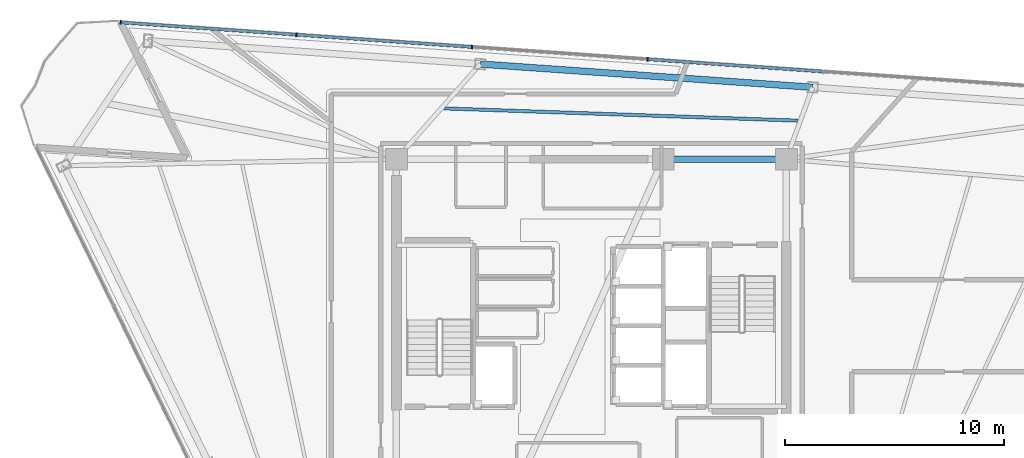
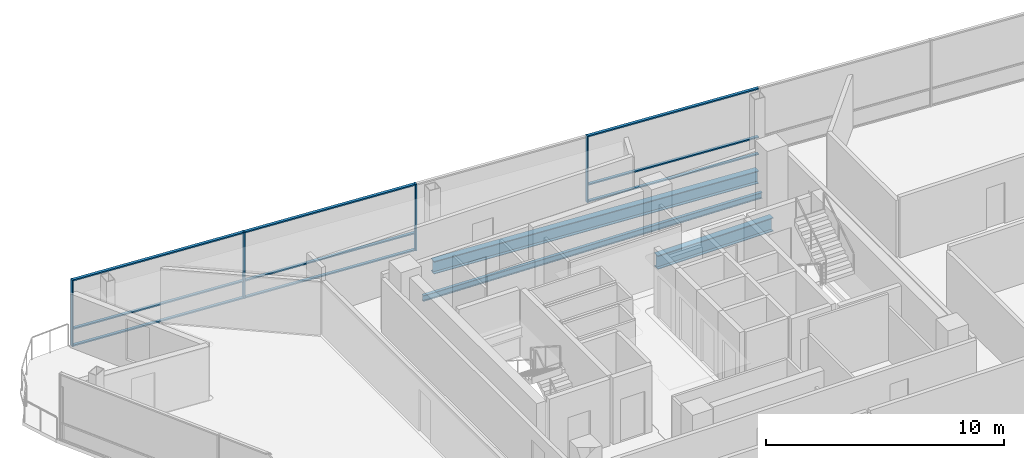
# One storey, part 6 of 14: 13 members, 3 beams, 1 element without a shape of its own.
"""IFC4 building model written with IfcOpenShell, lengths in metres."""

from ifc_helpers import new_model, si_unit, direction, frame, origin, origin_2d, place, context, subcontext, project, spatial, rectangle, i_section, extrude, material, layer, layer_set, material_profile, profile_set, type_object, element, aggregate, save


model = new_model("IFC4")

# Units and contexts
model_context = context("Model", 3, precision=1e-05, world=origin(), true_north=direction((0.0, 1.0)))
body_context = subcontext(model_context, "Body", "Model", "MODEL_VIEW")
ifc_project = project(units=[si_unit("LENGTHUNIT", "METRE"), si_unit("AREAUNIT", "SQUARE_METRE"), si_unit("VOLUMEUNIT", "CUBIC_METRE"), si_unit("PLANEANGLEUNIT", "RADIAN"), si_unit("MASSUNIT", "GRAM", prefix="KILO")], contexts=[model_context])

# Site, building, storey
site_placement = place(None, origin())
site = spatial("IfcSite", under=ifc_project, at=site_placement, CompositionType="ELEMENT")
building_placement = place(site_placement, origin())
building = spatial("IfcBuilding", under=site, at=building_placement, Name="Tharavind Bronze Gate", CompositionType="ELEMENT")
storey_placement = place(building_placement, frame((0.0, 0.0, 230.64990234375)))
storey = spatial("IfcBuildingStorey", under=building, at=storey_placement, Name="L59", CompositionType="ELEMENT", Elevation=230.64990234375)

# Curtain wall, members
ifc_material_1 = material(Name="Anodised Bronze Aluminium", Category="aluminium")
ifc_layer = layer(ifc_material_1, 0.219970703125)
ifc_layer_set = layer_set([ifc_layer], Name="Anodised Bronze Aluminium")
curtain_wall_type = type_object("IfcCurtainWallType", Name="UNITISED CURTAIN WALL UPPER OFFICE", PredefinedType="USERDEFINED", material=ifc_layer_set)
curtain_wall_placement = place(storey_placement, origin())
curtain_wall = element("IfcCurtainWall", 1, at=curtain_wall_placement, inside=storey, type_object=curtain_wall_type, Name="L59 unitised curtain wall upper office CW-L59-S3", ObjectType="UNITISED CURTAIN WALL", PredefinedType="USERDEFINED")
member_type_1 = type_object("IfcMemberType", Name="CURTAIN WALL BRONZE MULLION 65X180", PredefinedType="MULLION", material=ifc_material_1)
member_1_placement = place(storey_placement, frame((2.5654296875, 12.162353515625, 0.000244140625), z_axis=(0.0, 0.0, 1.0), x_axis=(-0.99756392851, 0.069758214822, 0.0)))
member_1 = element("IfcMember", 2, at=member_1_placement, type_object=member_type_1, Name="CW-L59-S3 mullion 4", PredefinedType="MULLION", context=body_context, shape_type="SweptSolid", body=[
    extrude(rectangle(XDim=0.06494140625, YDim=0.179931640625, at=origin_2d()), origin(), (0.0, 0.0, 1.0), 3.419921875),
])
member_2_placement = place(storey_placement, frame((-5.452880859375, 12.72314453125, 0.000244140625), z_axis=(0.0, 0.0, 1.0), x_axis=(-0.99756392851, 0.069758214822, 0.0)))
member_2 = element("IfcMember", 3, at=member_2_placement, type_object=member_type_1, Name="CW-L59-S3 mullion 5", PredefinedType="MULLION", context=body_context, shape_type="SweptSolid", body=[
    extrude(rectangle(XDim=0.06494140625, YDim=0.179931640625, at=origin_2d()), origin(), (0.0, 0.0, 1.0), 3.419921875),
])
member_3_placement = place(storey_placement, frame((-13.471435546875, 13.28369140625, 0.000244140625), z_axis=(0.0, 0.0, 1.0), x_axis=(-0.99756392851, 0.069758214822, 0.0)))
member_3 = element("IfcMember", 4, at=member_3_placement, type_object=member_type_1, Name="CW-L59-S3 mullion 6", PredefinedType="MULLION", context=body_context, shape_type="SweptSolid", body=[
    extrude(rectangle(XDim=0.06494140625, YDim=0.179931640625, at=origin_2d()), origin(), (0.0, 0.0, 1.0), 3.419921875),
])
member_4_placement = place(storey_placement, frame((-21.489990234375, 13.844482421875, 0.000244140625), z_axis=(0.0, 0.0, 1.0), x_axis=(-0.99756392851, 0.069758214822, 0.0)))
member_4 = element("IfcMember", 5, at=member_4_placement, type_object=member_type_1, Name="CW-L59-S3 mullion 7", PredefinedType="MULLION", context=body_context, shape_type="SweptSolid", body=[
    extrude(rectangle(XDim=0.06494140625, YDim=0.179931640625, at=origin_2d()), origin(), (0.0, 0.0, 1.0), 3.419921875),
])
member_type_2 = type_object("IfcMemberType", Name="CURTAIN WALL BRONZE TRANSOM 65X140", PredefinedType="USERDEFINED", material=ifc_material_1)
member_5_placement = place(storey_placement, frame((6.57470703125, 11.882080078125, 0.000244140625), z_axis=(0.0, 0.0, 1.0), x_axis=(-0.99756392851, 0.069758214822, 0.0)))
member_5 = element("IfcMember", 6, at=member_5_placement, type_object=member_type_2, Name="CW-L59-S3 transom TB3", ObjectType="TRANSOM", PredefinedType="USERDEFINED", context=body_context, shape_type="SweptSolid", body=[
    extrude(rectangle(XDim=7.985107421875, YDim=0.139892578125, at=origin_2d()), origin(), (0.0, 0.0, 1.0), 0.06494140625),
])
member_6_placement = place(storey_placement, frame((6.57470703125, 11.882080078125, 0.86767578125), z_axis=(0.0, 0.0, 1.0), x_axis=(-0.99756392851, 0.069758214822, 0.0)))
member_6 = element("IfcMember", 7, at=member_6_placement, type_object=member_type_2, Name="CW-L59-S3 transom TS3", ObjectType="TRANSOM", PredefinedType="USERDEFINED", context=body_context, shape_type="SweptSolid", body=[
    extrude(rectangle(XDim=7.985107421875, YDim=0.139892578125, at=origin_2d()), origin(), (0.0, 0.0, 1.0), 0.06494140625),
])
member_7_placement = place(storey_placement, frame((6.57470703125, 11.882080078125, 3.355224609375), z_axis=(0.0, 0.0, 1.0), x_axis=(-0.99756392851, 0.069758214822, 0.0)))
member_7 = element("IfcMember", 8, at=member_7_placement, type_object=member_type_2, Name="CW-L59-S3 transom TT3", ObjectType="TRANSOM", PredefinedType="USERDEFINED", context=body_context, shape_type="SweptSolid", body=[
    extrude(rectangle(XDim=7.985107421875, YDim=0.139892578125, at=origin_2d()), origin(), (0.0, 0.0, 1.0), 0.06494140625),
])
member_8_placement = place(storey_placement, frame((-9.462158203125, 13.00341796875, 0.000244140625), z_axis=(0.0, 0.0, 1.0), x_axis=(-0.99756392851, 0.069758214822, 0.0)))
member_8 = element("IfcMember", 9, at=member_8_placement, type_object=member_type_2, Name="CW-L59-S3 transom TB5", ObjectType="TRANSOM", PredefinedType="USERDEFINED", context=body_context, shape_type="SweptSolid", body=[
    extrude(rectangle(XDim=7.985107421875, YDim=0.139892578125, at=origin_2d()), origin(), (0.0, 0.0, 1.0), 0.06494140625),
])
member_9_placement = place(storey_placement, frame((-9.462158203125, 13.00341796875, 0.86767578125), z_axis=(0.0, 0.0, 1.0), x_axis=(-0.99756392851, 0.069758214822, 0.0)))
member_9 = element("IfcMember", 10, at=member_9_placement, type_object=member_type_2, Name="CW-L59-S3 transom TS5", ObjectType="TRANSOM", PredefinedType="USERDEFINED", context=body_context, shape_type="SweptSolid", body=[
    extrude(rectangle(XDim=7.985107421875, YDim=0.139892578125, at=origin_2d()), origin(), (0.0, 0.0, 1.0), 0.06494140625),
])
member_10_placement = place(storey_placement, frame((-9.462158203125, 13.00341796875, 3.355224609375), z_axis=(0.0, 0.0, 1.0), x_axis=(-0.99756392851, 0.069758214822, 0.0)))
member_10 = element("IfcMember", 11, at=member_10_placement, type_object=member_type_2, Name="CW-L59-S3 transom TT5", ObjectType="TRANSOM", PredefinedType="USERDEFINED", context=body_context, shape_type="SweptSolid", body=[
    extrude(rectangle(XDim=7.985107421875, YDim=0.139892578125, at=origin_2d()), origin(), (0.0, 0.0, 1.0), 0.06494140625),
])
member_11_placement = place(storey_placement, frame((-17.480712890625, 13.564208984375, 0.000244140625), z_axis=(0.0, 0.0, 1.0), x_axis=(-0.99756392851, 0.069758214822, 0.0)))
member_11 = element("IfcMember", 12, at=member_11_placement, type_object=member_type_2, Name="CW-L59-S3 transom TB6", ObjectType="TRANSOM", PredefinedType="USERDEFINED", context=body_context, shape_type="SweptSolid", body=[
    extrude(rectangle(XDim=7.985107421875, YDim=0.139892578125, at=origin_2d()), origin(), (0.0, 0.0, 1.0), 0.06494140625),
])
member_12_placement = place(storey_placement, frame((-17.480712890625, 13.564208984375, 0.86767578125), z_axis=(0.0, 0.0, 1.0), x_axis=(-0.99756392851, 0.069758214822, 0.0)))
member_12 = element("IfcMember", 13, at=member_12_placement, type_object=member_type_2, Name="CW-L59-S3 transom TS6", ObjectType="TRANSOM", PredefinedType="USERDEFINED", context=body_context, shape_type="SweptSolid", body=[
    extrude(rectangle(XDim=7.985107421875, YDim=0.139892578125, at=origin_2d()), origin(), (0.0, 0.0, 1.0), 0.06494140625),
])
member_13_placement = place(storey_placement, frame((-17.480712890625, 13.564208984375, 3.355224609375), z_axis=(0.0, 0.0, 1.0), x_axis=(-0.99756392851, 0.069758214822, 0.0)))
member_13 = element("IfcMember", 14, at=member_13_placement, type_object=member_type_2, Name="CW-L59-S3 transom TT6", ObjectType="TRANSOM", PredefinedType="USERDEFINED", context=body_context, shape_type="SweptSolid", body=[
    extrude(rectangle(XDim=7.985107421875, YDim=0.139892578125, at=origin_2d()), origin(), (0.0, 0.0, 1.0), 0.06494140625),
])
aggregate(curtain_wall, [member_1, member_2, member_3, member_4, member_5, member_6, member_7, member_8, member_9, member_10, member_11, member_12, member_13])

# Beams
ifc_material_2 = material(Name="Steel S355", Category="steel")
ifc_material_profile_1 = material_profile(ifc_material_2, i_section(OverallWidth=0.300048828125, OverallDepth=0.64990234375, WebThickness=0.01611328125, FlangeThickness=0.031005859375, at=origin_2d()), Name="HE650B")
ifc_profile_set_1 = profile_set([ifc_material_profile_1], Name="Steel S355")
beam_type_1 = type_object("IfcBeamType", Name="PRIMARY GIRDER HE650B", PredefinedType="USERDEFINED", material=ifc_profile_set_1)
beam_1_placement = place(storey_placement, frame((10.099609375, 10.8837890625, -0.5048828125), z_axis=(-0.997564956602, 0.069743511238, 0.0), x_axis=(-0.069743511238, -0.997564956602, 0.0)))
element("IfcBeam", 15, at=beam_1_placement, inside=storey, type_object=beam_type_1, Name="L59 primary girder he650b BM-L59-PRG10", ObjectType="GIRDER", PredefinedType="USERDEFINED", context=body_context, shape_type="SweptSolid", body=[
    extrude(i_section(OverallWidth=0.300048828125, OverallDepth=0.64990234375, WebThickness=0.01611328125, FlangeThickness=0.031005859375, at=origin_2d()), origin(), (0.0, 0.0, 1.0), 15.2099609375),
])
ifc_material_profile_2 = material_profile(ifc_material_2, i_section(OverallWidth=0.300048828125, OverallDepth=0.699951171875, WebThickness=0.01708984375, FlangeThickness=0.031982421875, at=origin_2d()), Name="HE700B")
ifc_profile_set_2 = profile_set([ifc_material_profile_2], Name="Steel S355")
beam_type_2 = type_object("IfcBeamType", Name="RING GIRDER HE700B", PredefinedType="USERDEFINED", material=ifc_profile_set_2)
beam_2_placement = place(storey_placement, frame((8.89990234375, 7.60009765625, -0.52978515625), z_axis=(-1.0, 0.0, 0.0), x_axis=(0.0, -1.0, 0.0)))
element("IfcBeam", 16, at=beam_2_placement, inside=storey, type_object=beam_type_2, Name="L59 ring girder he700b BM-L59-CR4", ObjectType="GIRDER", PredefinedType="USERDEFINED", context=body_context, shape_type="SweptSolid", body=[
    extrude(i_section(OverallWidth=0.300048828125, OverallDepth=0.699951171875, WebThickness=0.01708984375, FlangeThickness=0.031982421875, at=origin_2d()), origin(), (0.0, 0.0, 1.0), 5.619873046875),
])
ifc_material_profile_3 = material_profile(ifc_material_2, i_section(OverallWidth=0.14990234375, OverallDepth=0.300048828125, WebThickness=0.007080078125, FlangeThickness=0.0107421875, at=origin_2d()), Name="IPE300")
ifc_profile_set_3 = profile_set([ifc_material_profile_3], Name="Steel S355")
beam_type_3 = type_object("IfcBeamType", Name="SECONDARY FLOOR JOIST IPE300", PredefinedType="JOIST", material=ifc_profile_set_3)
beam_3_placement = place(storey_placement, frame((9.4326171875, 9.360595703125, -0.329833984375), z_axis=(-0.999400965348, 0.034607953742, 0.0), x_axis=(-0.034607953742, -0.999400965348, 0.0)))
element("IfcBeam", 17, at=beam_3_placement, inside=storey, type_object=beam_type_3, Name="L59 secondary floor joist ipe300 BM-L59-JSTA10", PredefinedType="JOIST", context=body_context, shape_type="SweptSolid", body=[
    extrude(i_section(OverallWidth=0.14990234375, OverallDepth=0.300048828125, WebThickness=0.007080078125, FlangeThickness=0.0107421875, at=origin_2d()), origin(), (0.0, 0.0, 1.0), 16.161865234375),
])

save(model, "model.ifc")
